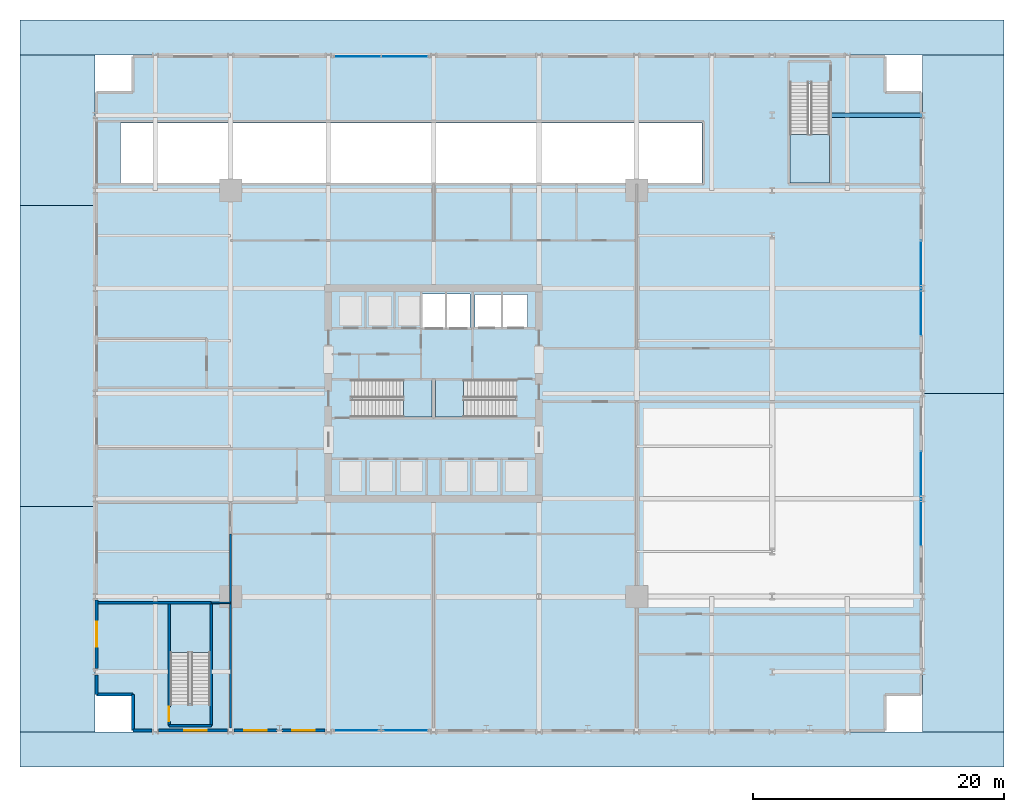
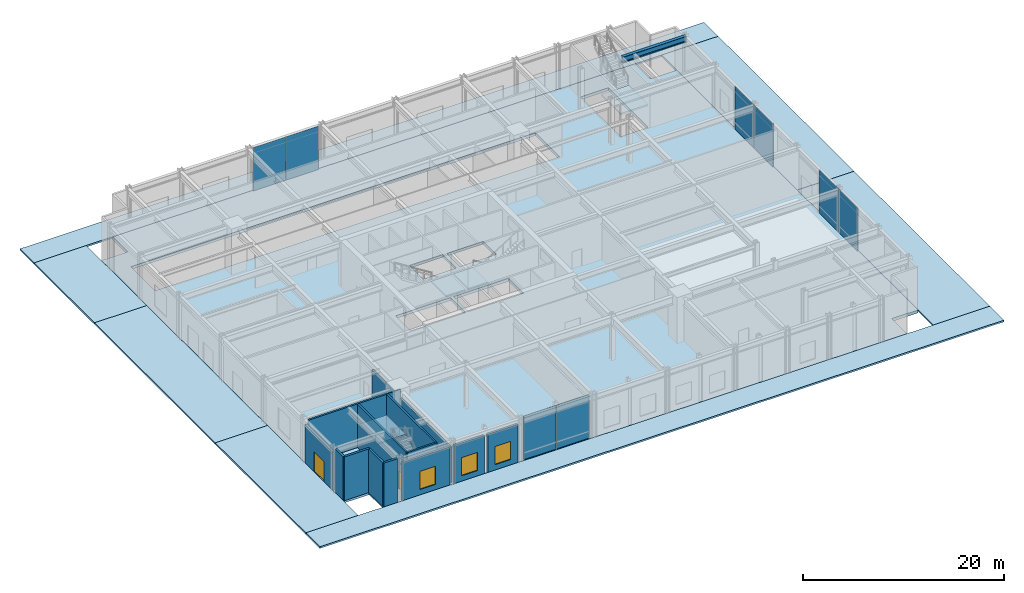
# One storey, part 10 of 21: 14 walls, 12 slabs, 8 plates, 3 windows, 2 doors, 1 beam, 5 openings, 8 elements without a shape of their own.
"""IFC4 building model written with IfcOpenShell, lengths in metres."""

from ifc_helpers import new_model, si_unit, direction, frame, frame_2d, origin, origin_2d, place, context, subcontext, project, spatial, polyline, rectangle, i_section, outline, extrude, material, layer, layer_set, material_profile, profile_set, type_object, element, fill, aggregate, save


model = new_model("IFC4")

# Units and contexts
model_context = context("Model", 3, precision=1e-05, world=origin(), true_north=direction((0.0, 1.0)))
body_context = subcontext(model_context, "Body", "Model", "MODEL_VIEW")
ifc_project = project(units=[si_unit("LENGTHUNIT", "METRE"), si_unit("AREAUNIT", "SQUARE_METRE"), si_unit("VOLUMEUNIT", "CUBIC_METRE"), si_unit("PLANEANGLEUNIT", "RADIAN"), si_unit("MASSUNIT", "GRAM", prefix="KILO")], contexts=[model_context])

# Site, building, storey
site_placement = place(None, origin())
site = spatial("IfcSite", under=ifc_project, at=site_placement, CompositionType="ELEMENT")
building_placement = place(site_placement, origin())
building = spatial("IfcBuilding", under=site, at=building_placement, Name="Drelvath Grand Hotel", CompositionType="ELEMENT")
storey_placement = place(building_placement, origin())
storey = spatial("IfcBuildingStorey", under=building, at=storey_placement, Name="L00", CompositionType="ELEMENT", Elevation=0.0)

# Beam
ifc_material_1 = material(Name="Steel ASTM A992 Gr 50", Category="steel")
ifc_material_profile = material_profile(ifc_material_1, i_section(OverallWidth=0.354736328125, OverallDepth=0.695556640625, WebThickness=0.015380859375, FlangeThickness=0.025146484375, FilletRadius=0.02392578125, at=origin_2d()), Name="W27X146")
ifc_profile_set = profile_set([ifc_material_profile], Name="Steel ASTM A992 Gr 50")
beam_type = type_object("IfcBeamType", Name="Primary Floor Girder W27X146", PredefinedType="BEAM", material=ifc_profile_set)
beam_placement = place(storey_placement, frame((31.679931640625, 49.199951171875, 4.9521484375), z_axis=(1.0, 0.0, 0.0), x_axis=(0.0, 1.0, 0.0)))
element("IfcBeam", 1, at=beam_placement, inside=storey, type_object=beam_type, Name="L00 East Corner Tie H", PredefinedType="BEAM", context=body_context, shape_type="SweptSolid", body=[
    extrude(i_section(OverallWidth=0.354736328125, OverallDepth=0.695556640625, WebThickness=0.015380859375, FlangeThickness=0.025146484375, FilletRadius=0.02392578125, at=origin_2d()), origin(), (0.0, 0.0, 1.0), 7.320068359375),
])

# Slab
ifc_material_2 = material(Name="Concrete f'c 40 MPa", Category="concrete")
ifc_layer_1 = layer(ifc_material_2, 0.35009765625)
ifc_layer_set_1 = layer_set([ifc_layer_1], Name="Concrete f'c 40 MPa")
slab_type_1 = type_object("IfcSlabType", Name="Composite RC Floor Slab 350", PredefinedType="FLOOR", material=ifc_layer_set_1)
slab_1_placement = place(storey_placement, frame((0.0, 0.0, -0.35009765625)))
element("IfcSlab", 2, at=slab_1_placement, inside=storey, type_object=slab_type_1, Name="L00 Structural Floor Slab", PredefinedType="FLOOR", context=body_context, shape_type="SweptSolid", body=[
    extrude(outline(polyline([(-24.0, 0.0), (36.0, 0.0), (36.0, 3.0), (39.0, 3.0), (39.0, 51.0), (36.0, 51.0), (36.0, 54.0), (-24.0, 54.0), (-24.0, 51.0), (-27.0, 51.0), (-27.0, 3.0), (-24.0, 3.0), (-24.0, 0.0)]), holes=[polyline([(-6.47998046875, 25.1201171875), (-6.47998046875, 28.080078125), (-0.14990234375, 28.080078125), (-0.14990234375, 25.1201171875), (-6.47998046875, 25.1201171875)]), polyline([(0.14990234375, 25.1201171875), (0.14990234375, 28.080078125), (6.47998046875, 28.080078125), (6.47998046875, 25.1201171875), (0.14990234375, 25.1201171875)]), polyline([(-21.0, 2.27001953125), (-21.0, 10.199951171875), (-17.840087890625, 10.199951171875), (-17.840087890625, 2.27001953125), (-21.0, 2.27001953125)]), polyline([(28.419921875, 43.800048828125), (28.419921875, 51.72998046875), (31.580078125, 51.72998046875), (31.580078125, 43.800048828125), (28.419921875, 43.800048828125)]), polyline([(-0.89990234375, 32.25), (-0.89990234375, 34.949951171875), (2.89990234375, 34.949951171875), (2.89990234375, 32.25), (-0.89990234375, 32.25)]), polyline([(3.300048828125, 32.300048828125), (3.300048828125, 34.89990234375), (7.5, 34.89990234375), (7.5, 32.300048828125), (3.300048828125, 32.300048828125)]), polyline([(-25.0, 43.800048828125), (-25.0, 48.60009765625), (21.39990234375, 48.60009765625), (21.39990234375, 43.800048828125), (-25.0, 43.800048828125)])]), origin(), (0.0, 0.0, 1.0), 0.35009765625),
])

# Stair, slab
ifc_material_3 = material(Name="Concrete C40/50", Category="concrete")
stair_type_1 = type_object("IfcStairType", Name="Dogleg Exit Stair W1400-R175.0", PredefinedType="HALF_TURN_STAIR", material=ifc_material_3)
stair_1_placement = place(storey_placement, origin())
stair_1 = element("IfcStair", 3, at=stair_1_placement, inside=storey, type_object=stair_type_1, Name="L00 Core Exit Stair ST-1", PredefinedType="HALF_TURN_STAIR")
ifc_layer_2 = layer(ifc_material_3, 0.199951171875)
ifc_layer_set_2 = layer_set([ifc_layer_2], Name="Concrete C40/50")
slab_type_2 = type_object("IfcSlabType", Name="Concrete Stair Landing Slab 200", PredefinedType="LANDING", material=ifc_layer_set_2)
slab_2_placement = place(storey_placement, frame((0.0, 0.0, 2.60009765625)))
slab_2 = element("IfcSlab", 4, at=slab_2_placement, type_object=slab_type_2, Name="ST-1 landing 1", PredefinedType="LANDING", context=body_context, shape_type="SweptSolid", body=[
    extrude(outline(polyline([(-2.39990234375, 25.1201171875), (-0.14990234375, 25.1201171875), (-0.14990234375, 28.080078125), (-2.39990234375, 28.080078125), (-2.39990234375, 25.1201171875)])), origin(), (0.0, 0.0, 1.0), 0.199951171875),
])
aggregate(stair_1, [slab_2])

stair_2_placement = place(storey_placement, origin())
stair_2 = element("IfcStair", 5, at=stair_2_placement, inside=storey, type_object=stair_type_1, Name="L00 Core Exit Stair ST-2", PredefinedType="HALF_TURN_STAIR")
slab_3_placement = place(storey_placement, frame((0.0, 0.0, 2.60009765625)))
slab_3 = element("IfcSlab", 6, at=slab_3_placement, type_object=slab_type_2, Name="ST-2 landing 1", PredefinedType="LANDING", context=body_context, shape_type="SweptSolid", body=[
    extrude(outline(polyline([(2.39990234375, 28.080078125), (0.14990234375, 28.080078125), (0.14990234375, 25.1201171875), (2.39990234375, 25.1201171875), (2.39990234375, 28.080078125)])), origin(), (0.0, 0.0, 1.0), 0.199951171875),
])
aggregate(stair_2, [slab_3])

stair_type_2 = type_object("IfcStairType", Name="Dogleg Exit Stair W1500-R175.0", PredefinedType="HALF_TURN_STAIR", material=ifc_material_3)
stair_3_placement = place(storey_placement, origin())
stair_3 = element("IfcStair", 7, at=stair_3_placement, inside=storey, type_object=stair_type_2, Name="L00 Podium Exit Stair ST-3", PredefinedType="HALF_TURN_STAIR")
slab_4_placement = place(storey_placement, frame((0.0, 0.0, 2.60009765625)))
slab_4 = element("IfcSlab", 8, at=slab_4_placement, type_object=slab_type_2, Name="ST-3 landing 1", PredefinedType="LANDING", context=body_context, shape_type="SweptSolid", body=[
    extrude(outline(polyline([(-17.840087890625, 6.35009765625), (-17.840087890625, 10.199951171875), (-21.0, 10.199951171875), (-21.0, 6.35009765625), (-17.840087890625, 6.35009765625)])), origin(), (0.0, 0.0, 1.0), 0.199951171875),
])
aggregate(stair_3, [slab_4])

stair_4_placement = place(storey_placement, origin())
stair_4 = element("IfcStair", 9, at=stair_4_placement, inside=storey, type_object=stair_type_2, Name="L00 Podium Exit Stair ST-4", PredefinedType="HALF_TURN_STAIR")
slab_5_placement = place(storey_placement, frame((0.0, 0.0, 2.60009765625)))
slab_5 = element("IfcSlab", 10, at=slab_5_placement, type_object=slab_type_2, Name="ST-4 landing 1", PredefinedType="LANDING", context=body_context, shape_type="SweptSolid", body=[
    extrude(outline(polyline([(28.419921875, 47.64990234375), (28.419921875, 43.800048828125), (31.580078125, 43.800048828125), (31.580078125, 47.64990234375), (28.419921875, 47.64990234375)])), origin(), (0.0, 0.0, 1.0), 0.199951171875),
])
aggregate(stair_4, [slab_5])

# Curtain wall, plates
ifc_material_4 = material(Name="Dark Bronze Anodised Aluminium Frame", Category="aluminium")
ifc_layer_3 = layer(ifc_material_4, 0.199951171875)
ifc_layer_set_3 = layer_set([ifc_layer_3], Name="Dark Bronze Anodised Aluminium Frame")
curtain_wall_type = type_object("IfcCurtainWallType", Name="Stick Curtain Wall CW-01 Dark Bronze Podium", PredefinedType="NOTDEFINED", material=ifc_layer_set_3)
curtain_wall_1_placement = place(storey_placement, origin())
curtain_wall_1 = element("IfcCurtainWall", 11, at=curtain_wall_1_placement, inside=storey, type_object=curtain_wall_type, Name="L00 CW-01 Curtain Wall CW01-L00-EA1", PredefinedType="NOTDEFINED")
ifc_material_5 = material(Name="Low-E Double Silver Vision Glass Clear", Category="glass")
ifc_layer_4 = layer(ifc_material_5, 0.035888671875)
ifc_layer_set_4 = layer_set([ifc_layer_4], Name="Low-E Double Silver Vision Glass Clear")
plate_type = type_object("IfcPlateType", Name="Curtain Wall Vision Panel CW-01 36mm", PredefinedType="CURTAIN_PANEL", material=ifc_layer_set_4)
plate_1_placement = place(storey_placement, frame((38.8798828125, 20.5, 0.02001953125), z_axis=(0.0, 0.0, 1.0), x_axis=(0.0, -1.0, 0.0)))
plate_1 = element("IfcPlate", 12, at=plate_1_placement, type_object=plate_type, Name="CW01-L00-EA1 Glazed Panel 1", PredefinedType="CURTAIN_PANEL", context=body_context, shape_type="SweptSolid", body=[
    extrude(rectangle(XDim=3.760009765625, YDim=0.035888671875, at=origin_2d()), origin(), (0.0, 0.0, 1.0), 5.260009765625),
])
plate_2_placement = place(storey_placement, frame((38.8798828125, 16.699951171875, 0.02001953125), z_axis=(0.0, 0.0, 1.0), x_axis=(0.0, -1.0, 0.0)))
plate_2 = element("IfcPlate", 13, at=plate_2_placement, type_object=plate_type, Name="CW01-L00-EA1 Glazed Panel 2", PredefinedType="CURTAIN_PANEL", context=body_context, shape_type="SweptSolid", body=[
    extrude(rectangle(XDim=3.760009765625, YDim=0.035888671875, at=origin_2d()), origin(), (0.0, 0.0, 1.0), 5.260009765625),
])
aggregate(curtain_wall_1, [plate_1, plate_2])

curtain_wall_2_placement = place(storey_placement, origin())
curtain_wall_2 = element("IfcCurtainWall", 14, at=curtain_wall_2_placement, inside=storey, type_object=curtain_wall_type, Name="L00 CW-01 Curtain Wall CW01-L00-EA2", PredefinedType="NOTDEFINED")
plate_3_placement = place(storey_placement, frame((38.8798828125, 37.300048828125, 0.02001953125), z_axis=(0.0, 0.0, 1.0), x_axis=(0.0, -1.0, 0.0)))
plate_3 = element("IfcPlate", 15, at=plate_3_placement, type_object=plate_type, Name="CW01-L00-EA2 Glazed Panel 1", PredefinedType="CURTAIN_PANEL", context=body_context, shape_type="SweptSolid", body=[
    extrude(rectangle(XDim=3.760009765625, YDim=0.035888671875, at=origin_2d()), origin(), (0.0, 0.0, 1.0), 5.260009765625),
])
plate_4_placement = place(storey_placement, frame((38.8798828125, 33.5, 0.02001953125), z_axis=(0.0, 0.0, 1.0), x_axis=(0.0, -1.0, 0.0)))
plate_4 = element("IfcPlate", 16, at=plate_4_placement, type_object=plate_type, Name="CW01-L00-EA2 Glazed Panel 2", PredefinedType="CURTAIN_PANEL", context=body_context, shape_type="SweptSolid", body=[
    extrude(rectangle(XDim=3.760009765625, YDim=0.035888671875, at=origin_2d()), origin(), (0.0, 0.0, 1.0), 5.260009765625),
])
aggregate(curtain_wall_2, [plate_3, plate_4])

curtain_wall_3_placement = place(storey_placement, origin())
curtain_wall_3 = element("IfcCurtainWall", 17, at=curtain_wall_3_placement, inside=storey, type_object=curtain_wall_type, Name="L00 CW-01 Curtain Wall CW01-L00-SC1", PredefinedType="NOTDEFINED")
plate_5_placement = place(storey_placement, frame((-2.324951171875, 0.1201171875, 0.02001953125), z_axis=(0.0, 0.0, 1.0), x_axis=(-1.0, 0.0, 0.0)))
plate_5 = element("IfcPlate", 18, at=plate_5_placement, type_object=plate_type, Name="CW01-L00-SC1 Glazed Panel 1", PredefinedType="CURTAIN_PANEL", context=body_context, shape_type="SweptSolid", body=[
    extrude(rectangle(XDim=3.7099609375, YDim=0.035888671875, at=origin_2d()), origin(), (0.0, 0.0, 1.0), 5.260009765625),
])
plate_6_placement = place(storey_placement, frame((-6.074951171875, 0.1201171875, 0.02001953125), z_axis=(0.0, 0.0, 1.0), x_axis=(-1.0, 0.0, 0.0)))
plate_6 = element("IfcPlate", 19, at=plate_6_placement, type_object=plate_type, Name="CW01-L00-SC1 Glazed Panel 2", PredefinedType="CURTAIN_PANEL", context=body_context, shape_type="SweptSolid", body=[
    extrude(rectangle(XDim=3.7099609375, YDim=0.035888671875, at=origin_2d()), origin(), (0.0, 0.0, 1.0), 5.260009765625),
])
aggregate(curtain_wall_3, [plate_5, plate_6])

curtain_wall_4_placement = place(storey_placement, origin())
curtain_wall_4 = element("IfcCurtainWall", 20, at=curtain_wall_4_placement, inside=storey, type_object=curtain_wall_type, Name="L00 CW-01 Curtain Wall CW01-L00-NC1", PredefinedType="NOTDEFINED")
plate_7_placement = place(storey_placement, frame((-6.074951171875, 53.8798828125, 0.02001953125), z_axis=(0.0, 0.0, 1.0), x_axis=(1.0, 0.0, 0.0)))
plate_7 = element("IfcPlate", 21, at=plate_7_placement, type_object=plate_type, Name="CW01-L00-NC1 Glazed Panel 1", PredefinedType="CURTAIN_PANEL", context=body_context, shape_type="SweptSolid", body=[
    extrude(rectangle(XDim=3.7099609375, YDim=0.035888671875, at=origin_2d()), origin(), (0.0, 0.0, 1.0), 5.260009765625),
])
plate_8_placement = place(storey_placement, frame((-2.324951171875, 53.8798828125, 0.02001953125), z_axis=(0.0, 0.0, 1.0), x_axis=(1.0, 0.0, 0.0)))
plate_8 = element("IfcPlate", 22, at=plate_8_placement, type_object=plate_type, Name="CW01-L00-NC1 Glazed Panel 2", PredefinedType="CURTAIN_PANEL", context=body_context, shape_type="SweptSolid", body=[
    extrude(rectangle(XDim=3.7099609375, YDim=0.035888671875, at=origin_2d()), origin(), (0.0, 0.0, 1.0), 5.260009765625),
])
aggregate(curtain_wall_4, [plate_7, plate_8])

# Slabs
ifc_layer_5 = layer(ifc_material_2, 0.199951171875)
ifc_layer_set_5 = layer_set([ifc_layer_5], Name="Concrete f'c 40 MPa")
slab_type_3 = type_object("IfcSlabType", Name="Exterior Street Paving Slab 200", PredefinedType="USERDEFINED", material=ifc_layer_set_5)
slab_6_placement = place(storey_placement, frame((0.0, 0.0, -0.199951171875)))
element("IfcSlab", 23, at=slab_6_placement, inside=storey, type_object=slab_type_3, Name="L00 Service Ramp Exterior Driveway Apron", ObjectType="PAVING", PredefinedType="USERDEFINED", context=body_context, shape_type="SweptSolid", body=[
    extrude(outline(polyline([(-33.0, 42.0), (-27.0, 42.0), (-27.0, 54.0), (-33.0, 54.0), (-33.0, 42.0)])), origin(), (0.0, 0.0, 1.0), 0.199951171875),
])
slab_7_placement = place(storey_placement, frame((0.0, 0.0, -0.199951171875)))
element("IfcSlab", 24, at=slab_7_placement, inside=storey, type_object=slab_type_3, Name="L00 West Avenue Pedestrian Sidewalk Paving", ObjectType="PAVING", PredefinedType="USERDEFINED", context=body_context, shape_type="SweptSolid", body=[
    extrude(outline(polyline([(-33.0, 18.0), (-27.0, 18.0), (-27.0, 42.0), (-33.0, 42.0), (-33.0, 18.0)])), origin(), (0.0, 0.0, 1.0), 0.199951171875),
])
slab_8_placement = place(storey_placement, frame((0.0, 0.0, -0.199951171875)))
element("IfcSlab", 25, at=slab_8_placement, inside=storey, type_object=slab_type_3, Name="L00 Southwest Drop-Off Sidewalk Paving", ObjectType="PAVING", PredefinedType="USERDEFINED", context=body_context, shape_type="SweptSolid", body=[
    extrude(outline(polyline([(-33.0, 0.0), (-27.0, 0.0), (-27.0, 18.0), (-33.0, 18.0), (-33.0, 0.0)])), origin(), (0.0, 0.0, 1.0), 0.199951171875),
])
slab_9_placement = place(storey_placement, frame((0.0, 0.0, -0.199951171875)))
element("IfcSlab", 26, at=slab_9_placement, inside=storey, type_object=slab_type_3, Name="L00 Northeast Atrium Forecourt Paving", ObjectType="PAVING", PredefinedType="USERDEFINED", context=body_context, shape_type="SweptSolid", body=[
    extrude(outline(polyline([(39.0, 27.0), (45.5, 27.0), (45.5, 54.0), (39.0, 54.0), (39.0, 27.0)])), origin(), (0.0, 0.0, 1.0), 0.199951171875),
])
slab_10_placement = place(storey_placement, frame((0.0, 0.0, -0.199951171875)))
element("IfcSlab", 27, at=slab_10_placement, inside=storey, type_object=slab_type_3, Name="L00 Southeast Atrium Forecourt Paving", ObjectType="PAVING", PredefinedType="USERDEFINED", context=body_context, shape_type="SweptSolid", body=[
    extrude(outline(polyline([(39.0, 0.0), (45.5, 0.0), (45.5, 27.0), (39.0, 27.0), (39.0, 0.0)])), origin(), (0.0, 0.0, 1.0), 0.199951171875),
])
slab_11_placement = place(storey_placement, frame((0.0, 0.0, -0.199951171875)))
element("IfcSlab", 28, at=slab_11_placement, inside=storey, type_object=slab_type_3, Name="L00 South Colonnade Boulevard Sidewalk Paving", ObjectType="PAVING", PredefinedType="USERDEFINED", context=body_context, shape_type="SweptSolid", body=[
    extrude(outline(polyline([(-33.0, -2.800048828125), (45.5, -2.800048828125), (45.5, 0.0), (-33.0, 0.0), (-33.0, -2.800048828125)])), origin(), (0.0, 0.0, 1.0), 0.199951171875),
])
slab_12_placement = place(storey_placement, frame((0.0, 0.0, -0.199951171875)))
element("IfcSlab", 29, at=slab_12_placement, inside=storey, type_object=slab_type_3, Name="L00 North Crosstown Sidewalk Paving", ObjectType="PAVING", PredefinedType="USERDEFINED", context=body_context, shape_type="SweptSolid", body=[
    extrude(outline(polyline([(-33.0, 54.0), (45.5, 54.0), (45.5, 56.800048828125), (-33.0, 56.800048828125), (-33.0, 54.0)])), origin(), (0.0, 0.0, 1.0), 0.199951171875),
])

# Wall, opening, door
ifc_layer_6 = layer(ifc_material_3, 0.199951171875)
ifc_layer_set_6 = layer_set([ifc_layer_6], Name="Concrete C40/50")
wall_type_1 = type_object("IfcWallType", Name="Core Shaft Fire Wall 200", PredefinedType="SOLIDWALL", material=ifc_layer_set_6)
wall_1_placement = place(storey_placement, frame((-21.10009765625, 0.5, 0.0), z_axis=(0.0, 0.0, 1.0), x_axis=(0.0, 1.0, 0.0)))
wall_1 = element("IfcWall", 30, at=wall_1_placement, inside=storey, type_object=wall_type_1, Name="L00 Stair ST-3 West Wall", PredefinedType="SOLIDWALL", context=body_context, shape_type="SweptSolid", body=[
    extrude(rectangle(XDim=9.800048828125, YDim=0.199951171875, at=frame_2d((4.89990234375, 0.0))), origin(), (0.0, 0.0, 1.0), 5.300048828125),
])
opening_1_placement = place(wall_1_placement, frame((0.35009765625, 0.0, 0.0)))
opening_1 = element("IfcOpeningElement", 31, at=opening_1_placement, cuts=wall_1, Name="Opening SD-ST3-L00", PredefinedType="OPENING", context=body_context, shape_type="SweptSolid", body=[
    extrude(rectangle(XDim=1.14990234375, YDim=2.14990234375, at=frame_2d((0.574951171875, 1.074951171875))), frame((0.0, 0.10986328125, 0.0), z_axis=(0.0, -1.0, 0.0), x_axis=(1.0, 0.0, 0.0)), (0.0, 0.0, 1.0), 0.219970703125),
])
ifc_material_6 = material(Name="Painted Steel S275", Category="steel")
door_type_1 = type_object("IfcDoorType", Name="Podium Stairwell Fire Door 1150x2150", OperationType="NOTDEFINED", PredefinedType="DOOR", material=ifc_material_6)
door_1_placement = place(opening_1_placement, origin())
door_1 = element("IfcDoor", 32, at=door_1_placement, inside=storey, type_object=door_type_1, Name="L00 Exit Stair ST-3 Discharge Door", OperationType="SINGLE_SWING_LEFT", OverallHeight=2.14990234375, OverallWidth=1.14990234375, PredefinedType="DOOR", context=body_context, shape_type="SweptSolid", body=[
    extrude(rectangle(XDim=1.14990234375, YDim=2.14990234375, at=frame_2d((0.574951171875, 1.074951171875))), frame((0.0, 0.02490234375, 0.0), z_axis=(0.0, -1.0, 0.0), x_axis=(1.0, 0.0, 0.0)), (0.0, 0.0, 1.0), 0.050048828125),
])
fill(opening_1, door_1)

# Walls
wall_2_placement = place(storey_placement, frame((-17.739990234375, 10.300048828125, 0.0), z_axis=(0.0, 0.0, 1.0), x_axis=(0.0, -1.0, 0.0)))
element("IfcWall", 33, at=wall_2_placement, inside=storey, type_object=wall_type_1, Name="L00 Stair ST-3 East Wall", PredefinedType="SOLIDWALL", context=body_context, shape_type="SweptSolid", body=[
    extrude(rectangle(XDim=9.800048828125, YDim=0.199951171875, at=frame_2d((4.89990234375, 0.0))), origin(), (0.0, 0.0, 1.0), 5.300048828125),
])
wall_3_placement = place(storey_placement, frame((-21.10009765625, 0.5, 0.0), z_axis=(0.0, 0.0, 1.0), x_axis=(1.0, 0.0, 0.0)))
element("IfcWall", 34, at=wall_3_placement, inside=storey, type_object=wall_type_1, Name="L00 Stair ST-3 South Wall", PredefinedType="SOLIDWALL", context=body_context, shape_type="SweptSolid", body=[
    extrude(rectangle(XDim=3.360107421875, YDim=0.199951171875, at=frame_2d((1.68017578125, 0.0))), origin(), (0.0, 0.0, 1.0), 5.300048828125),
])
wall_4_placement = place(storey_placement, frame((-26.760009765625, 10.300048828125, 0.0), z_axis=(0.0, 0.0, 1.0), x_axis=(1.0, 0.0, 0.0)))
element("IfcWall", 35, at=wall_4_placement, inside=storey, type_object=wall_type_1, Name="L00 SW Exit Passage North Wall", PredefinedType="SOLIDWALL", context=body_context, shape_type="SweptSolid", body=[
    extrude(rectangle(XDim=9.02001953125, YDim=0.199951171875, at=frame_2d((4.510009765625, 0.0))), origin(), (0.0, 0.0, 1.0), 5.300048828125),
])
ifc_material_7 = material(Name="Gypsum Fireboard Partition")
ifc_layer_7 = layer(ifc_material_7, 0.135009765625)
ifc_layer_set_7 = layer_set([ifc_layer_7], Name="Gypsum Fireboard Partition")
wall_type_2 = type_object("IfcWallType", Name="Corridor Fire Barrier Wall 135", PredefinedType="PARTITIONING", material=ifc_layer_set_7)
wall_5_placement = place(storey_placement, frame((-17.739990234375, 10.300048828125, 0.0), z_axis=(0.0, 0.0, 1.0), x_axis=(1.0, 0.0, 0.0)))
element("IfcWall", 36, at=wall_5_placement, inside=storey, type_object=wall_type_2, Name="L00 ST-3 North Extension Wall", PredefinedType="PARTITIONING", context=body_context, shape_type="SweptSolid", body=[
    extrude(rectangle(XDim=1.5400390625, YDim=0.135009765625, at=frame_2d((0.77001953125, 0.0))), origin(), (0.0, 0.0, 1.0), 5.300048828125),
])
ifc_material_8 = material(Name="Insulated Granite Rainscreen Assembly", Category="masonry")
ifc_layer_8 = layer(ifc_material_8, 0.239990234375)
ifc_layer_set_8 = layer_set([ifc_layer_8], Name="Insulated Granite Rainscreen Assembly")
wall_type_3 = type_object("IfcWallType", Name="Podium Granite Rainscreen Exterior Wall 240", PredefinedType="STANDARD", material=ifc_layer_set_8)
wall_6_placement = place(storey_placement, frame((-26.8798828125, 3.0, 0.0), z_axis=(0.0, 0.0, 1.0), x_axis=(0.0, 1.0, 0.0)))
element("IfcWall", 37, at=wall_6_placement, inside=storey, type_object=wall_type_3, Name="L00 West Podium Granite Wall 1", PredefinedType="STANDARD", context=body_context, shape_type="SweptSolid", body=[
    extrude(rectangle(XDim=1.542236328125, YDim=0.239990234375, at=frame_2d((0.77099609375, 0.0))), origin(), (0.0, 0.0, 1.0), 5.300048828125),
])

# Wall, opening, door
wall_7_placement = place(storey_placement, frame((-26.8798828125, 5.0576171875, 0.0), z_axis=(0.0, 0.0, 1.0), x_axis=(0.0, 1.0, 0.0)))
wall_7 = element("IfcWall", 38, at=wall_7_placement, inside=storey, type_object=wall_type_3, Name="L00 West Podium Granite Wall 2", PredefinedType="STANDARD", context=body_context, shape_type="SweptSolid", body=[
    extrude(rectangle(XDim=5.484619140625, YDim=0.239990234375, at=frame_2d((2.7421875, 0.0))), origin(), (0.0, 0.0, 1.0), 4.6044921875),
])
opening_2_placement = place(wall_7_placement, frame((1.7421875, 0.0, 0.0)))
opening_2 = element("IfcOpeningElement", 39, at=opening_2_placement, cuts=wall_7, Name="Opening EX-02", PredefinedType="OPENING", context=body_context, shape_type="SweptSolid", body=[
    extrude(rectangle(XDim=2.0, YDim=2.39990234375, at=frame_2d((1.0, 1.199951171875))), frame((0.0, 0.1298828125, 0.0), z_axis=(0.0, -1.0, 0.0), x_axis=(1.0, 0.0, 0.0)), (0.0, 0.0, 1.0), 0.260009765625),
])
ifc_material_9 = material(Name="Bronze Anodised Thermally Broken Aluminium", Category="aluminium")
door_type_2 = type_object("IfcDoorType", Name="Street Final Exit Double Door 2000x2400", OperationType="DOUBLE_DOOR_SINGLE_SWING", PredefinedType="DOOR", material=ifc_material_9)
door_2_placement = place(opening_2_placement, origin())
door_2 = element("IfcDoor", 40, at=door_2_placement, inside=storey, type_object=door_type_2, Name="L00 Southwest Final Exit Discharge Door EX-02", OperationType="DOUBLE_DOOR_SINGLE_SWING", OverallHeight=2.39990234375, OverallWidth=2.0, PredefinedType="DOOR", context=body_context, shape_type="SweptSolid", body=[
    extrude(rectangle(XDim=2.0, YDim=2.39990234375, at=frame_2d((1.0, 1.199951171875))), frame((0.0, 0.02490234375, 0.0), z_axis=(0.0, -1.0, 0.0), x_axis=(1.0, 0.0, 0.0)), (0.0, 0.0, 1.0), 0.050048828125),
])
fill(opening_2, door_2)

# Wall
wall_8_placement = place(storey_placement, frame((-22.457763671875, 0.1201171875, 0.0), z_axis=(0.0, 0.0, 1.0), x_axis=(-1.0, 0.0, 0.0)))
element("IfcWall", 41, at=wall_8_placement, inside=storey, type_object=wall_type_3, Name="L00 South Podium Granite Wall 1", PredefinedType="STANDARD", context=body_context, shape_type="SweptSolid", body=[
    extrude(rectangle(XDim=1.542236328125, YDim=0.239990234375, at=frame_2d((0.77099609375, 0.0))), origin(), (0.0, 0.0, 1.0), 5.300048828125),
])

# Wall, opening, window
wall_9_placement = place(storey_placement, frame((-16.457763671875, 0.1201171875, 0.0), z_axis=(0.0, 0.0, 1.0), x_axis=(-1.0, 0.0, 0.0)))
wall_9 = element("IfcWall", 42, at=wall_9_placement, inside=storey, type_object=wall_type_3, Name="L00 South Podium Granite Wall 2", PredefinedType="STANDARD", context=body_context, shape_type="SweptSolid", body=[
    extrude(rectangle(XDim=5.484619140625, YDim=0.239990234375, at=frame_2d((2.7421875, 0.0))), origin(), (0.0, 0.0, 1.0), 4.6044921875),
])
opening_3_placement = place(wall_9_placement, frame((1.64990234375, 0.0, 0.64990234375)))
opening_3 = element("IfcOpeningElement", 43, at=opening_3_placement, cuts=wall_9, Name="Opening W-02", PredefinedType="OPENING", context=body_context, shape_type="SweptSolid", body=[
    extrude(rectangle(XDim=1.800048828125, YDim=2.199951171875, at=frame_2d((0.89990234375, 1.10009765625))), frame((0.0, 0.1298828125, 0.0), z_axis=(0.0, -1.0, 0.0), x_axis=(1.0, 0.0, 0.0)), (0.0, 0.0, 1.0), 0.260009765625),
])
ifc_material_10 = material(Name="Bronze Anodised Low-E Triple Glazing", Category="glass")
window_type = type_object("IfcWindowType", Name="Chicago Double-Pane Podium Window 1800x2400", PartitioningType="DOUBLE_PANEL_VERTICAL", PredefinedType="WINDOW", material=ifc_material_10)
window_1_placement = place(opening_3_placement, origin())
window_1 = element("IfcWindow", 44, at=window_1_placement, inside=storey, type_object=window_type, Name="L00 South Chicago Window 2-1", OverallHeight=2.199951171875, OverallWidth=1.800048828125, PartitioningType="SINGLE_PANEL", PredefinedType="WINDOW", context=body_context, shape_type="SweptSolid", body=[
    extrude(rectangle(XDim=1.800048828125, YDim=2.199951171875, at=frame_2d((0.89990234375, 1.10009765625))), frame((0.0, 0.030029296875, 0.0), z_axis=(0.0, -1.0, 0.0), x_axis=(1.0, 0.0, 0.0)), (0.0, 0.0, 1.0), 0.06005859375),
])
fill(opening_3, window_1)

wall_10_placement = place(storey_placement, frame((-12.49267578125, 0.1201171875, 0.0), z_axis=(0.0, 0.0, 1.0), x_axis=(-1.0, 0.0, 0.0)))
wall_10 = element("IfcWall", 45, at=wall_10_placement, inside=storey, type_object=wall_type_3, Name="L00 South Podium Granite Wall 3", PredefinedType="STANDARD", context=body_context, shape_type="SweptSolid", body=[
    extrude(rectangle(XDim=3.44970703125, YDim=0.239990234375, at=frame_2d((1.724853515625, 0.0))), origin(), (0.0, 0.0, 1.0), 4.6044921875),
])
opening_4_placement = place(wall_10_placement, frame((0.82470703125, 0.0, 0.64990234375)))
opening_4 = element("IfcOpeningElement", 46, at=opening_4_placement, cuts=wall_10, Name="Opening W-02", PredefinedType="OPENING", context=body_context, shape_type="SweptSolid", body=[
    extrude(rectangle(XDim=1.800048828125, YDim=2.199951171875, at=frame_2d((0.89990234375, 1.10009765625))), frame((0.0, 0.1298828125, 0.0), z_axis=(0.0, -1.0, 0.0), x_axis=(1.0, 0.0, 0.0)), (0.0, 0.0, 1.0), 0.260009765625),
])
window_2_placement = place(opening_4_placement, origin())
window_2 = element("IfcWindow", 47, at=window_2_placement, inside=storey, type_object=window_type, Name="L00 South Chicago Window 3", OverallHeight=2.199951171875, OverallWidth=1.800048828125, PartitioningType="SINGLE_PANEL", PredefinedType="WINDOW", context=body_context, shape_type="SweptSolid", body=[
    extrude(rectangle(XDim=1.800048828125, YDim=2.199951171875, at=frame_2d((0.89990234375, 1.10009765625))), frame((0.0, 0.030029296875, 0.0), z_axis=(0.0, -1.0, 0.0), x_axis=(1.0, 0.0, 0.0)), (0.0, 0.0, 1.0), 0.06005859375),
])
fill(opening_4, window_2)

wall_11_placement = place(storey_placement, frame((-8.65771484375, 0.1201171875, 0.0), z_axis=(0.0, 0.0, 1.0), x_axis=(-1.0, 0.0, 0.0)))
wall_11 = element("IfcWall", 48, at=wall_11_placement, inside=storey, type_object=wall_type_3, Name="L00 South Podium Granite Wall 4", PredefinedType="STANDARD", context=body_context, shape_type="SweptSolid", body=[
    extrude(rectangle(XDim=3.44970703125, YDim=0.239990234375, at=frame_2d((1.724853515625, 0.0))), origin(), (0.0, 0.0, 1.0), 4.6044921875),
])
opening_5_placement = place(wall_11_placement, frame((0.82470703125, 0.0, 0.64990234375)))
opening_5 = element("IfcOpeningElement", 49, at=opening_5_placement, cuts=wall_11, Name="Opening W-02", PredefinedType="OPENING", context=body_context, shape_type="SweptSolid", body=[
    extrude(rectangle(XDim=1.800048828125, YDim=2.199951171875, at=frame_2d((0.89990234375, 1.10009765625))), frame((0.0, 0.1298828125, 0.0), z_axis=(0.0, -1.0, 0.0), x_axis=(1.0, 0.0, 0.0)), (0.0, 0.0, 1.0), 0.260009765625),
])
window_3_placement = place(opening_5_placement, origin())
window_3 = element("IfcWindow", 50, at=window_3_placement, inside=storey, type_object=window_type, Name="L00 South Chicago Window 4", OverallHeight=2.199951171875, OverallWidth=1.800048828125, PartitioningType="SINGLE_PANEL", PredefinedType="WINDOW", context=body_context, shape_type="SweptSolid", body=[
    extrude(rectangle(XDim=1.800048828125, YDim=2.199951171875, at=frame_2d((0.89990234375, 1.10009765625))), frame((0.0, 0.030029296875, 0.0), z_axis=(0.0, -1.0, 0.0), x_axis=(1.0, 0.0, 0.0)), (0.0, 0.0, 1.0), 0.06005859375),
])
fill(opening_5, window_3)

# Walls
for number, where, z_axis, x_axis, name in (
    (51, (-24.0, 0.1201171875, 0.0), (0.0, 0.0, 1.0), (0.0, 1.0, 0.0), "L00 Podium Corner Return Wall CSW1"),
    (52, (-24.0, 3.0, 0.0), (0.0, 0.0, 1.0), (-1.0, 0.0, 0.0), "L00 Podium Corner Return Wall CSW2"),
):
    element("IfcWall", number, at=place(storey_placement, frame(where, z_axis=z_axis, x_axis=x_axis)), inside=storey, type_object=wall_type_3, Name=name, PredefinedType="STANDARD", context=body_context, shape_type="SweptSolid", body=[
        extrude(rectangle(XDim=2.8798828125, YDim=0.239990234375, at=frame_2d((1.43994140625, 0.0))), origin(), (0.0, 0.0, 1.0), 5.300048828125),
    ])
ifc_material_11 = material(Name="Gypsum Acoustic Partition")
ifc_layer_9 = layer(ifc_material_11, 0.1650390625)
ifc_layer_set_9 = layer_set([ifc_layer_9], Name="Gypsum Acoustic Partition")
wall_type_4 = type_object("IfcWallType", Name="Suite Demising Wall 165", PredefinedType="PARTITIONING", material=ifc_layer_set_9)
wall_12_placement = place(storey_placement, frame((-16.199951171875, 0.300048828125, 0.0), z_axis=(0.0, 0.0, 1.0), x_axis=(0.0, 1.0, 0.0)))
element("IfcWall", 53, at=wall_12_placement, inside=storey, type_object=wall_type_4, Name="L00 South Retail West Wall", PredefinedType="PARTITIONING", context=body_context, shape_type="SweptSolid", body=[
    extrude(rectangle(XDim=15.5, YDim=0.1650390625, at=frame_2d((7.75, 0.0))), origin(), (0.0, 0.0, 1.0), 4.3369140625),
])

save(model, "model.ifc")
